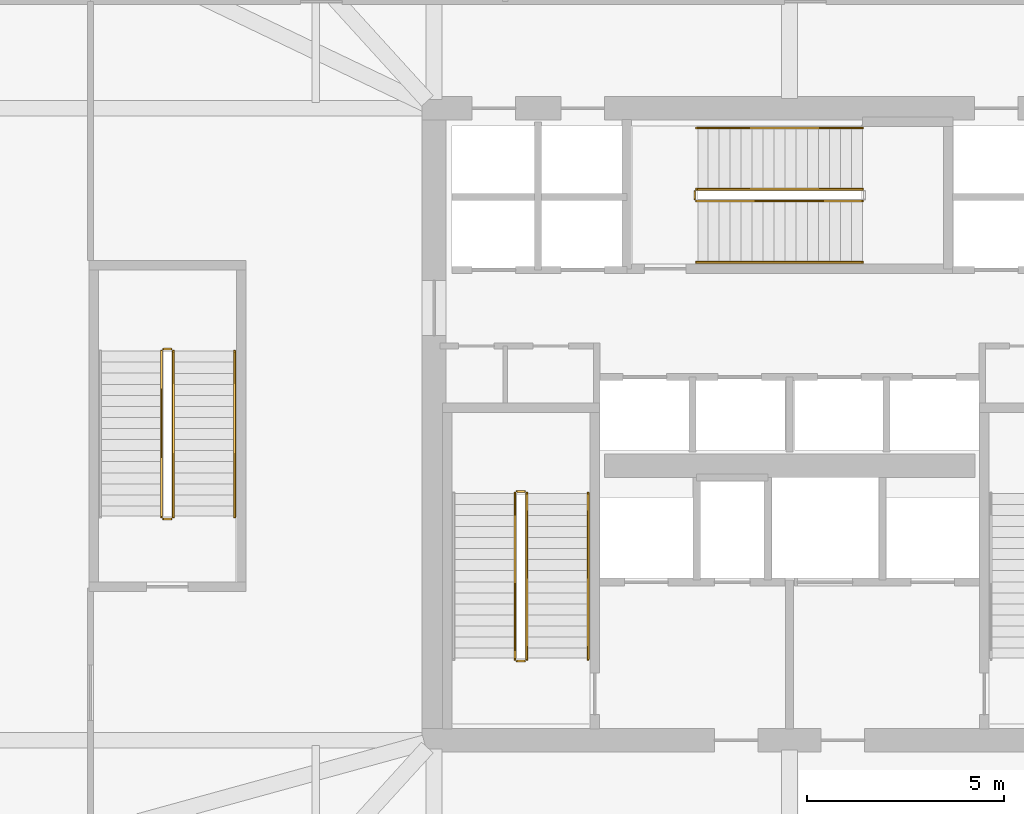
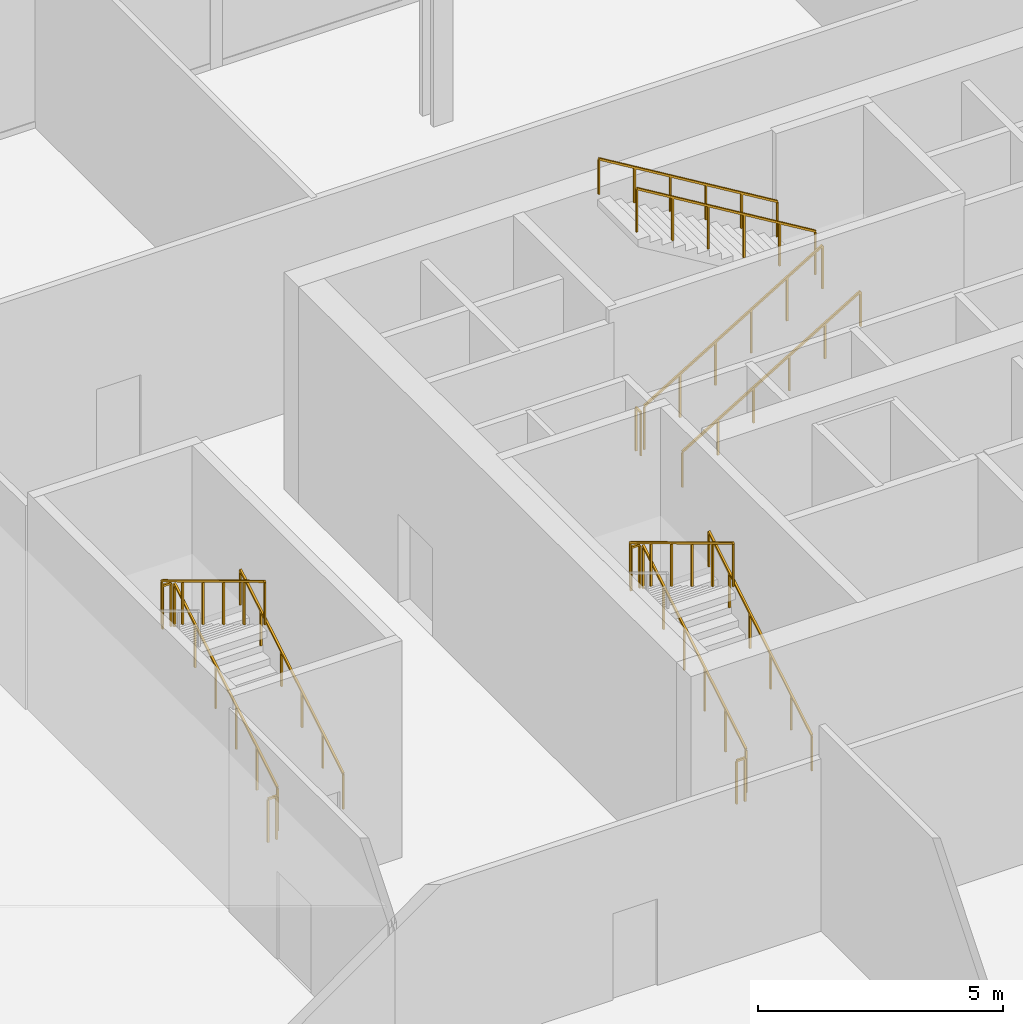
# One storey, part 16 of 20: 15 railings.
"""IFC4 building model written with IfcOpenShell, lengths in metres."""

from ifc_helpers import new_model, si_unit, direction, frame, origin, origin_2d, place, context, subcontext, project, spatial, rectangle, extrude, material, type_object, element, save


model = new_model("IFC4")

# Units and contexts
model_context = context("Model", 3, precision=1e-05, world=origin(), true_north=direction((0.0, 1.0)))
body_context = subcontext(model_context, "Body", "Model", "MODEL_VIEW")
ifc_project = project(units=[si_unit("LENGTHUNIT", "METRE"), si_unit("AREAUNIT", "SQUARE_METRE"), si_unit("VOLUMEUNIT", "CUBIC_METRE"), si_unit("PLANEANGLEUNIT", "RADIAN"), si_unit("MASSUNIT", "GRAM", prefix="KILO")], contexts=[model_context])

# Site, building, storey
site_placement = place(None, origin())
site = spatial("IfcSite", under=ifc_project, at=site_placement, CompositionType="ELEMENT")
building_placement = place(site_placement, origin())
building = spatial("IfcBuilding", under=site, at=building_placement, Name="Haldenkirk Collegiate Tower", CompositionType="ELEMENT")
storey_placement = place(building_placement, frame((0.0, 0.0, 6.0)))
storey = spatial("IfcBuildingStorey", under=building, at=storey_placement, Name="L01", CompositionType="ELEMENT", Elevation=6.0)

# Railings
ifc_material = material(Name="Painted architectural tubular steel", Category="steel")
railing_type_1 = type_object("IfcRailingType", Name="RLG-STAIR-GUARD-1100", PredefinedType="BALUSTRADE", material=ifc_material)
railing_1_placement = place(storey_placement, frame((29.35009765625, 20.050048828125, 0.168701171875)))
element("IfcRailing", 1, at=railing_1_placement, inside=storey, type_object=railing_type_1, Name="L01 ST-1 stair guard 1", PredefinedType="BALUSTRADE", context=body_context, shape_type="SweptSolid", body=[
    extrude(rectangle(XDim=0.048095703125, YDim=0.048095703125, at=origin_2d()), frame((0.0, 0.0, 1.076171875), z_axis=(0.0, 0.856476492594, 0.516186030065), x_axis=(-1.0, 0.0, 0.0)), (0.0, 0.0, 1.0), 4.90380859375),
    extrude(rectangle(XDim=0.0419921875, YDim=0.0419921875, at=origin_2d()), origin(), (0.0, 0.0, 1.0), 1.052001953125),
    extrude(rectangle(XDim=0.0419921875, YDim=0.0419921875, at=origin_2d()), frame((0.0, 0.840087890625, 0.50634765625)), (0.0, 0.0, 1.0), 1.052001953125),
    extrude(rectangle(XDim=0.0419921875, YDim=0.0419921875, at=origin_2d()), frame((0.0, 1.679931640625, 1.012451171875)), (0.0, 0.0, 1.0), 1.052001953125),
    extrude(rectangle(XDim=0.0419921875, YDim=0.0419921875, at=origin_2d()), frame((0.0, 2.52001953125, 1.518798828125)), (0.0, 0.0, 1.0), 1.052001953125),
    extrude(rectangle(XDim=0.0419921875, YDim=0.0419921875, at=origin_2d()), frame((0.0, 3.35986328125, 2.02490234375)), (0.0, 0.0, 1.0), 1.052001953125),
    extrude(rectangle(XDim=0.0419921875, YDim=0.0419921875, at=origin_2d()), frame((0.0, 4.199951171875, 2.53125)), (0.0, 0.0, 1.0), 1.052001953125),
])
railing_2_placement = place(storey_placement, frame((29.300048828125, 24.300048828125, 2.699951171875)))
element("IfcRailing", 2, at=railing_2_placement, inside=storey, type_object=railing_type_1, Name="L01 ST-1 stair guard 2", PredefinedType="BALUSTRADE", context=body_context, shape_type="SweptSolid", body=[
    extrude(rectangle(XDim=0.048095703125, YDim=0.048095703125, at=origin_2d()), frame((0.0, 0.0, 1.076171875), z_axis=(-1.0, 0.0, 0.0), x_axis=(0.0, -1.0, 0.0)), (0.0, 0.0, 1.0), 0.199951171875),
    extrude(rectangle(XDim=0.0419921875, YDim=0.0419921875, at=origin_2d()), origin(), (0.0, 0.0, 1.0), 1.052001953125),
    extrude(rectangle(XDim=0.0419921875, YDim=0.0419921875, at=origin_2d()), frame((-0.199951171875, 0.0, 0.0)), (0.0, 0.0, 1.0), 1.052001953125),
])
railing_3_placement = place(storey_placement, frame((29.050048828125, 24.25, 2.86865234375)))
element("IfcRailing", 3, at=railing_3_placement, inside=storey, type_object=railing_type_1, Name="L01 ST-1 stair guard 3", PredefinedType="BALUSTRADE", context=body_context, shape_type="SweptSolid", body=[
    extrude(rectangle(XDim=0.048095703125, YDim=0.048095703125, at=origin_2d()), frame((0.0, 0.0, 1.076171875), z_axis=(0.0, -0.856476492594, 0.516186030065), x_axis=(1.0, 0.0, 0.0)), (0.0, 0.0, 1.0), 4.90380859375),
    extrude(rectangle(XDim=0.0419921875, YDim=0.0419921875, at=origin_2d()), origin(), (0.0, 0.0, 1.0), 1.052001953125),
    extrude(rectangle(XDim=0.0419921875, YDim=0.0419921875, at=origin_2d()), frame((0.0, -0.840087890625, 0.50634765625)), (0.0, 0.0, 1.0), 1.052001953125),
    extrude(rectangle(XDim=0.0419921875, YDim=0.0419921875, at=origin_2d()), frame((0.0, -1.679931640625, 1.012451171875)), (0.0, 0.0, 1.0), 1.052001953125),
    extrude(rectangle(XDim=0.0419921875, YDim=0.0419921875, at=origin_2d()), frame((0.0, -2.52001953125, 1.518798828125)), (0.0, 0.0, 1.0), 1.052001953125),
    extrude(rectangle(XDim=0.0419921875, YDim=0.0419921875, at=origin_2d()), frame((0.0, -3.35986328125, 2.02490234375)), (0.0, 0.0, 1.0), 1.052001953125),
    extrude(rectangle(XDim=0.0419921875, YDim=0.0419921875, at=origin_2d()), frame((0.0, -4.199951171875, 2.53125)), (0.0, 0.0, 1.0), 1.052001953125),
])
railing_4_placement = place(storey_placement, frame((29.300048828125, 20.0, 0.0)))
element("IfcRailing", 4, at=railing_4_placement, inside=storey, type_object=railing_type_1, Name="L01 ST-1 stair guard 4", PredefinedType="BALUSTRADE", context=body_context, shape_type="SweptSolid", body=[
    extrude(rectangle(XDim=0.048095703125, YDim=0.048095703125, at=origin_2d()), frame((0.0, 0.0, 1.076171875), z_axis=(-1.0, 0.0, 0.0), x_axis=(0.0, -1.0, 0.0)), (0.0, 0.0, 1.0), 0.199951171875),
    extrude(rectangle(XDim=0.0419921875, YDim=0.0419921875, at=origin_2d()), origin(), (0.0, 0.0, 1.0), 1.052001953125),
    extrude(rectangle(XDim=0.0419921875, YDim=0.0419921875, at=origin_2d()), frame((-0.199951171875, 0.0, 0.0)), (0.0, 0.0, 1.0), 1.052001953125),
])
railing_5_placement = place(storey_placement, frame((33.64990234375, 31.64990234375, 0.168701171875)))
element("IfcRailing", 5, at=railing_5_placement, inside=storey, type_object=railing_type_1, Name="L01 ST-3 stair guard 1", PredefinedType="BALUSTRADE", context=body_context, shape_type="SweptSolid", body=[
    extrude(rectangle(XDim=0.048095703125, YDim=0.048095703125, at=origin_2d()), frame((0.0, 0.0, 1.076171875), z_axis=(0.856489757249, 0.0, 0.516164020179), x_axis=(0.0, 1.0, 0.0)), (0.0, 0.0, 1.0), 4.904052734375),
    extrude(rectangle(XDim=0.0419921875, YDim=0.0419921875, at=origin_2d()), origin(), (0.0, 0.0, 1.0), 1.052001953125),
    extrude(rectangle(XDim=0.0419921875, YDim=0.0419921875, at=origin_2d()), frame((0.840087890625, 0.0, 0.50634765625)), (0.0, 0.0, 1.0), 1.052001953125),
    extrude(rectangle(XDim=0.0419921875, YDim=0.0419921875, at=origin_2d()), frame((1.68017578125, 0.0, 1.012451171875)), (0.0, 0.0, 1.0), 1.052001953125),
    extrude(rectangle(XDim=0.0419921875, YDim=0.0419921875, at=origin_2d()), frame((2.52001953125, 0.0, 1.518798828125)), (0.0, 0.0, 1.0), 1.052001953125),
    extrude(rectangle(XDim=0.0419921875, YDim=0.0419921875, at=origin_2d()), frame((3.360107421875, 0.0, 2.02490234375)), (0.0, 0.0, 1.0), 1.052001953125),
    extrude(rectangle(XDim=0.0419921875, YDim=0.0419921875, at=origin_2d()), frame((4.2001953125, 0.0, 2.53125)), (0.0, 0.0, 1.0), 1.052001953125),
])
railing_6_placement = place(storey_placement, frame((37.85009765625, 31.949951171875, 2.86865234375)))
element("IfcRailing", 6, at=railing_6_placement, inside=storey, type_object=railing_type_1, Name="L01 ST-3 stair guard 3", PredefinedType="BALUSTRADE", context=body_context, shape_type="SweptSolid", body=[
    extrude(rectangle(XDim=0.048095703125, YDim=0.048095703125, at=origin_2d()), frame((0.0, 0.0, 1.076171875), z_axis=(-0.856489757249, 0.0, 0.516164020179), x_axis=(0.0, -1.0, 0.0)), (0.0, 0.0, 1.0), 4.904052734375),
    extrude(rectangle(XDim=0.0419921875, YDim=0.0419921875, at=origin_2d()), origin(), (0.0, 0.0, 1.0), 1.052001953125),
    extrude(rectangle(XDim=0.0419921875, YDim=0.0419921875, at=origin_2d()), frame((-0.840087890625, 0.0, 0.50634765625)), (0.0, 0.0, 1.0), 1.052001953125),
    extrude(rectangle(XDim=0.0419921875, YDim=0.0419921875, at=origin_2d()), frame((-1.68017578125, 0.0, 1.012451171875)), (0.0, 0.0, 1.0), 1.052001953125),
    extrude(rectangle(XDim=0.0419921875, YDim=0.0419921875, at=origin_2d()), frame((-2.52001953125, 0.0, 1.518798828125)), (0.0, 0.0, 1.0), 1.052001953125),
    extrude(rectangle(XDim=0.0419921875, YDim=0.0419921875, at=origin_2d()), frame((-3.360107421875, 0.0, 2.02490234375)), (0.0, 0.0, 1.0), 1.052001953125),
    extrude(rectangle(XDim=0.0419921875, YDim=0.0419921875, at=origin_2d()), frame((-4.2001953125, 0.0, 2.53125)), (0.0, 0.0, 1.0), 1.052001953125),
])
railing_7_placement = place(storey_placement, frame((33.60009765625, 31.699951171875, 0.0)))
element("IfcRailing", 7, at=railing_7_placement, inside=storey, type_object=railing_type_1, Name="L01 ST-3 stair guard 4", PredefinedType="BALUSTRADE", context=body_context, shape_type="SweptSolid", body=[
    extrude(rectangle(XDim=0.048095703125, YDim=0.048095703125, at=origin_2d()), frame((0.0, 0.0, 1.076171875), z_axis=(0.0, 1.0, 0.0), x_axis=(-1.0, 0.0, 0.0)), (0.0, 0.0, 1.0), 0.199951171875),
    extrude(rectangle(XDim=0.0419921875, YDim=0.0419921875, at=origin_2d()), origin(), (0.0, 0.0, 1.0), 1.052001953125),
    extrude(rectangle(XDim=0.0419921875, YDim=0.0419921875, at=origin_2d()), frame((0.0, 0.199951171875, 0.0)), (0.0, 0.0, 1.0), 1.052001953125),
])
railing_8_placement = place(storey_placement, frame((20.39990234375, 23.64990234375, 0.168701171875)))
element("IfcRailing", 8, at=railing_8_placement, inside=storey, type_object=railing_type_1, Name="L01 ST-4 stair guard 1", PredefinedType="BALUSTRADE", context=body_context, shape_type="SweptSolid", body=[
    extrude(rectangle(XDim=0.048095703125, YDim=0.048095703125, at=origin_2d()), frame((0.0, 0.0, 1.076171875), z_axis=(0.0, 0.856489757249, 0.516164020179), x_axis=(-1.0, 0.0, 0.0)), (0.0, 0.0, 1.0), 4.904052734375),
    extrude(rectangle(XDim=0.0419921875, YDim=0.0419921875, at=origin_2d()), origin(), (0.0, 0.0, 1.0), 1.052001953125),
    extrude(rectangle(XDim=0.0419921875, YDim=0.0419921875, at=origin_2d()), frame((0.0, 0.840087890625, 0.50634765625)), (0.0, 0.0, 1.0), 1.052001953125),
    extrude(rectangle(XDim=0.0419921875, YDim=0.0419921875, at=origin_2d()), frame((0.0, 1.68017578125, 1.012451171875)), (0.0, 0.0, 1.0), 1.052001953125),
    extrude(rectangle(XDim=0.0419921875, YDim=0.0419921875, at=origin_2d()), frame((0.0, 2.52001953125, 1.518798828125)), (0.0, 0.0, 1.0), 1.052001953125),
    extrude(rectangle(XDim=0.0419921875, YDim=0.0419921875, at=origin_2d()), frame((0.0, 3.360107421875, 2.02490234375)), (0.0, 0.0, 1.0), 1.052001953125),
    extrude(rectangle(XDim=0.0419921875, YDim=0.0419921875, at=origin_2d()), frame((0.0, 4.2001953125, 2.53125)), (0.0, 0.0, 1.0), 1.052001953125),
])
railing_9_placement = place(storey_placement, frame((20.35009765625, 27.89990234375, 2.699951171875)))
element("IfcRailing", 9, at=railing_9_placement, inside=storey, type_object=railing_type_1, Name="L01 ST-4 stair guard 2", PredefinedType="BALUSTRADE", context=body_context, shape_type="SweptSolid", body=[
    extrude(rectangle(XDim=0.048095703125, YDim=0.048095703125, at=origin_2d()), frame((0.0, 0.0, 1.076171875), z_axis=(-1.0, 0.0, 0.0), x_axis=(0.0, -1.0, 0.0)), (0.0, 0.0, 1.0), 0.2001953125),
    extrude(rectangle(XDim=0.0419921875, YDim=0.0419921875, at=origin_2d()), origin(), (0.0, 0.0, 1.0), 1.052001953125),
    extrude(rectangle(XDim=0.0419921875, YDim=0.0419921875, at=origin_2d()), frame((-0.2001953125, 0.0, 0.0)), (0.0, 0.0, 1.0), 1.052001953125),
])
railing_10_placement = place(storey_placement, frame((20.10009765625, 27.85009765625, 2.86865234375)))
element("IfcRailing", 10, at=railing_10_placement, inside=storey, type_object=railing_type_1, Name="L01 ST-4 stair guard 3", PredefinedType="BALUSTRADE", context=body_context, shape_type="SweptSolid", body=[
    extrude(rectangle(XDim=0.048095703125, YDim=0.048095703125, at=origin_2d()), frame((0.0, 0.0, 1.076171875), z_axis=(0.0, -0.856489757249, 0.516164020179), x_axis=(1.0, 0.0, 0.0)), (0.0, 0.0, 1.0), 4.904052734375),
    extrude(rectangle(XDim=0.0419921875, YDim=0.0419921875, at=origin_2d()), origin(), (0.0, 0.0, 1.0), 1.052001953125),
    extrude(rectangle(XDim=0.0419921875, YDim=0.0419921875, at=origin_2d()), frame((0.0, -0.840087890625, 0.50634765625)), (0.0, 0.0, 1.0), 1.052001953125),
    extrude(rectangle(XDim=0.0419921875, YDim=0.0419921875, at=origin_2d()), frame((0.0, -1.68017578125, 1.012451171875)), (0.0, 0.0, 1.0), 1.052001953125),
    extrude(rectangle(XDim=0.0419921875, YDim=0.0419921875, at=origin_2d()), frame((0.0, -2.52001953125, 1.518798828125)), (0.0, 0.0, 1.0), 1.052001953125),
    extrude(rectangle(XDim=0.0419921875, YDim=0.0419921875, at=origin_2d()), frame((0.0, -3.360107421875, 2.02490234375)), (0.0, 0.0, 1.0), 1.052001953125),
    extrude(rectangle(XDim=0.0419921875, YDim=0.0419921875, at=origin_2d()), frame((0.0, -4.2001953125, 2.53125)), (0.0, 0.0, 1.0), 1.052001953125),
])
railing_11_placement = place(storey_placement, frame((20.35009765625, 23.60009765625, 0.0)))
element("IfcRailing", 11, at=railing_11_placement, inside=storey, type_object=railing_type_1, Name="L01 ST-4 stair guard 4", PredefinedType="BALUSTRADE", context=body_context, shape_type="SweptSolid", body=[
    extrude(rectangle(XDim=0.048095703125, YDim=0.048095703125, at=origin_2d()), frame((0.0, 0.0, 1.076171875), z_axis=(-1.0, 0.0, 0.0), x_axis=(0.0, -1.0, 0.0)), (0.0, 0.0, 1.0), 0.2001953125),
    extrude(rectangle(XDim=0.0419921875, YDim=0.0419921875, at=origin_2d()), origin(), (0.0, 0.0, 1.0), 1.052001953125),
    extrude(rectangle(XDim=0.0419921875, YDim=0.0419921875, at=origin_2d()), frame((-0.2001953125, 0.0, 0.0)), (0.0, 0.0, 1.0), 1.052001953125),
])
railing_type_2 = type_object("IfcRailingType", Name="RLG-STAIR-HANDRAIL-900", PredefinedType="HANDRAIL", material=ifc_material)
railing_12_placement = place(storey_placement, frame((30.89990234375, 20.050048828125, 0.168701171875)))
element("IfcRailing", 12, at=railing_12_placement, inside=storey, type_object=railing_type_2, Name="L01 ST-1 stair handrail 1", PredefinedType="HANDRAIL", context=body_context, shape_type="SweptSolid", body=[
    extrude(rectangle(XDim=0.048095703125, YDim=0.048095703125, at=origin_2d()), frame((0.0, 0.0, 0.8759765625), z_axis=(0.0, 0.856476492594, 0.516186030065), x_axis=(-1.0, 0.0, 0.0)), (0.0, 0.0, 1.0), 4.90380859375),
    extrude(rectangle(XDim=0.0419921875, YDim=0.0419921875, at=origin_2d()), origin(), (0.0, 0.0, 1.0), 0.851806640625),
    extrude(rectangle(XDim=0.0419921875, YDim=0.0419921875, at=origin_2d()), frame((0.0, 0.840087890625, 0.50634765625)), (0.0, 0.0, 1.0), 0.851806640625),
    extrude(rectangle(XDim=0.0419921875, YDim=0.0419921875, at=origin_2d()), frame((0.0, 1.679931640625, 1.012451171875)), (0.0, 0.0, 1.0), 0.851806640625),
    extrude(rectangle(XDim=0.0419921875, YDim=0.0419921875, at=origin_2d()), frame((0.0, 2.52001953125, 1.518798828125)), (0.0, 0.0, 1.0), 0.851806640625),
    extrude(rectangle(XDim=0.0419921875, YDim=0.0419921875, at=origin_2d()), frame((0.0, 3.35986328125, 2.02490234375)), (0.0, 0.0, 1.0), 0.851806640625),
    extrude(rectangle(XDim=0.0419921875, YDim=0.0419921875, at=origin_2d()), frame((0.0, 4.199951171875, 2.53125)), (0.0, 0.0, 1.0), 0.851806640625),
])
railing_13_placement = place(storey_placement, frame((33.64990234375, 30.10009765625, 0.168701171875)))
element("IfcRailing", 13, at=railing_13_placement, inside=storey, type_object=railing_type_2, Name="L01 ST-3 stair handrail 1", PredefinedType="HANDRAIL", context=body_context, shape_type="SweptSolid", body=[
    extrude(rectangle(XDim=0.048095703125, YDim=0.048095703125, at=origin_2d()), frame((0.0, 0.0, 0.8759765625), z_axis=(0.856489757249, 0.0, 0.516164020179), x_axis=(0.0, 1.0, 0.0)), (0.0, 0.0, 1.0), 4.904052734375),
    extrude(rectangle(XDim=0.0419921875, YDim=0.0419921875, at=origin_2d()), origin(), (0.0, 0.0, 1.0), 0.851806640625),
    extrude(rectangle(XDim=0.0419921875, YDim=0.0419921875, at=origin_2d()), frame((0.840087890625, 0.0, 0.50634765625)), (0.0, 0.0, 1.0), 0.851806640625),
    extrude(rectangle(XDim=0.0419921875, YDim=0.0419921875, at=origin_2d()), frame((1.68017578125, 0.0, 1.012451171875)), (0.0, 0.0, 1.0), 0.851806640625),
    extrude(rectangle(XDim=0.0419921875, YDim=0.0419921875, at=origin_2d()), frame((2.52001953125, 0.0, 1.518798828125)), (0.0, 0.0, 1.0), 0.851806640625),
    extrude(rectangle(XDim=0.0419921875, YDim=0.0419921875, at=origin_2d()), frame((3.360107421875, 0.0, 2.02490234375)), (0.0, 0.0, 1.0), 0.851806640625),
    extrude(rectangle(XDim=0.0419921875, YDim=0.0419921875, at=origin_2d()), frame((4.2001953125, 0.0, 2.53125)), (0.0, 0.0, 1.0), 0.851806640625),
])
railing_14_placement = place(storey_placement, frame((37.85009765625, 33.5, 2.86865234375)))
element("IfcRailing", 14, at=railing_14_placement, inside=storey, type_object=railing_type_2, Name="L01 ST-3 stair handrail 2", PredefinedType="HANDRAIL", context=body_context, shape_type="SweptSolid", body=[
    extrude(rectangle(XDim=0.048095703125, YDim=0.048095703125, at=origin_2d()), frame((0.0, 0.0, 0.8759765625), z_axis=(-0.856489757249, 0.0, 0.516164020179), x_axis=(0.0, -1.0, 0.0)), (0.0, 0.0, 1.0), 4.904052734375),
    extrude(rectangle(XDim=0.0419921875, YDim=0.0419921875, at=origin_2d()), origin(), (0.0, 0.0, 1.0), 0.851806640625),
    extrude(rectangle(XDim=0.0419921875, YDim=0.0419921875, at=origin_2d()), frame((-0.840087890625, 0.0, 0.50634765625)), (0.0, 0.0, 1.0), 0.851806640625),
    extrude(rectangle(XDim=0.0419921875, YDim=0.0419921875, at=origin_2d()), frame((-1.68017578125, 0.0, 1.012451171875)), (0.0, 0.0, 1.0), 0.851806640625),
    extrude(rectangle(XDim=0.0419921875, YDim=0.0419921875, at=origin_2d()), frame((-2.52001953125, 0.0, 1.518798828125)), (0.0, 0.0, 1.0), 0.851806640625),
    extrude(rectangle(XDim=0.0419921875, YDim=0.0419921875, at=origin_2d()), frame((-3.360107421875, 0.0, 2.02490234375)), (0.0, 0.0, 1.0), 0.851806640625),
    extrude(rectangle(XDim=0.0419921875, YDim=0.0419921875, at=origin_2d()), frame((-4.2001953125, 0.0, 2.53125)), (0.0, 0.0, 1.0), 0.851806640625),
])
railing_15_placement = place(storey_placement, frame((21.949951171875, 23.64990234375, 0.168701171875)))
element("IfcRailing", 15, at=railing_15_placement, inside=storey, type_object=railing_type_2, Name="L01 ST-4 stair handrail 1", PredefinedType="HANDRAIL", context=body_context, shape_type="SweptSolid", body=[
    extrude(rectangle(XDim=0.048095703125, YDim=0.048095703125, at=origin_2d()), frame((0.0, 0.0, 0.8759765625), z_axis=(0.0, 0.856489757249, 0.516164020179), x_axis=(-1.0, 0.0, 0.0)), (0.0, 0.0, 1.0), 4.904052734375),
    extrude(rectangle(XDim=0.0419921875, YDim=0.0419921875, at=origin_2d()), origin(), (0.0, 0.0, 1.0), 0.851806640625),
    extrude(rectangle(XDim=0.0419921875, YDim=0.0419921875, at=origin_2d()), frame((0.0, 0.840087890625, 0.50634765625)), (0.0, 0.0, 1.0), 0.851806640625),
    extrude(rectangle(XDim=0.0419921875, YDim=0.0419921875, at=origin_2d()), frame((0.0, 1.68017578125, 1.012451171875)), (0.0, 0.0, 1.0), 0.851806640625),
    extrude(rectangle(XDim=0.0419921875, YDim=0.0419921875, at=origin_2d()), frame((0.0, 2.52001953125, 1.518798828125)), (0.0, 0.0, 1.0), 0.851806640625),
    extrude(rectangle(XDim=0.0419921875, YDim=0.0419921875, at=origin_2d()), frame((0.0, 3.360107421875, 2.02490234375)), (0.0, 0.0, 1.0), 0.851806640625),
    extrude(rectangle(XDim=0.0419921875, YDim=0.0419921875, at=origin_2d()), frame((0.0, 4.2001953125, 2.53125)), (0.0, 0.0, 1.0), 0.851806640625),
])

save(model, "model.ifc")
